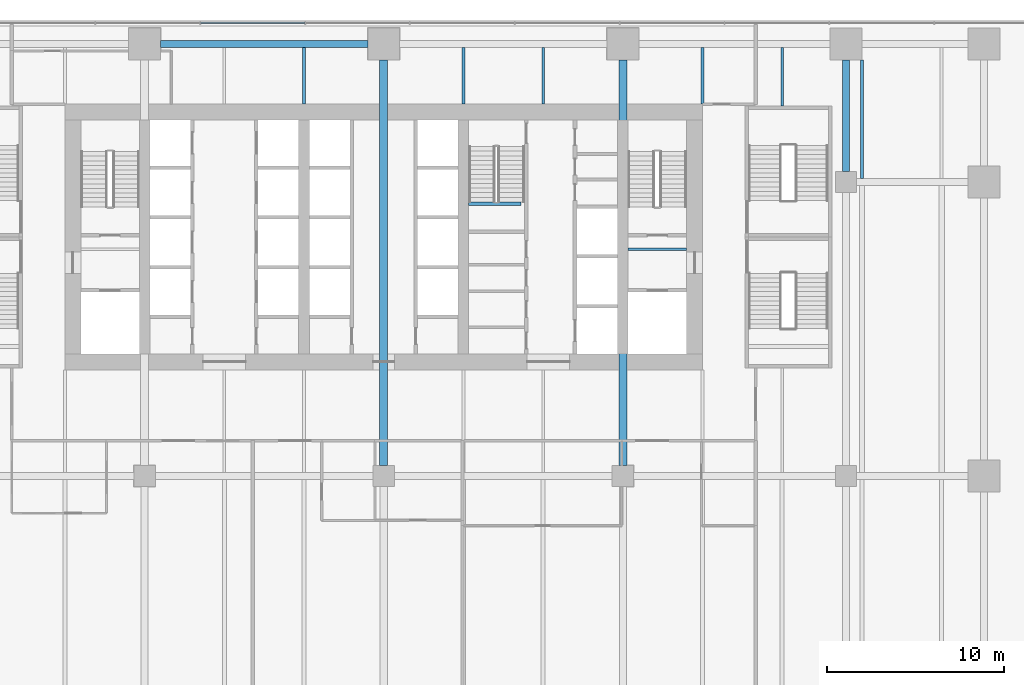
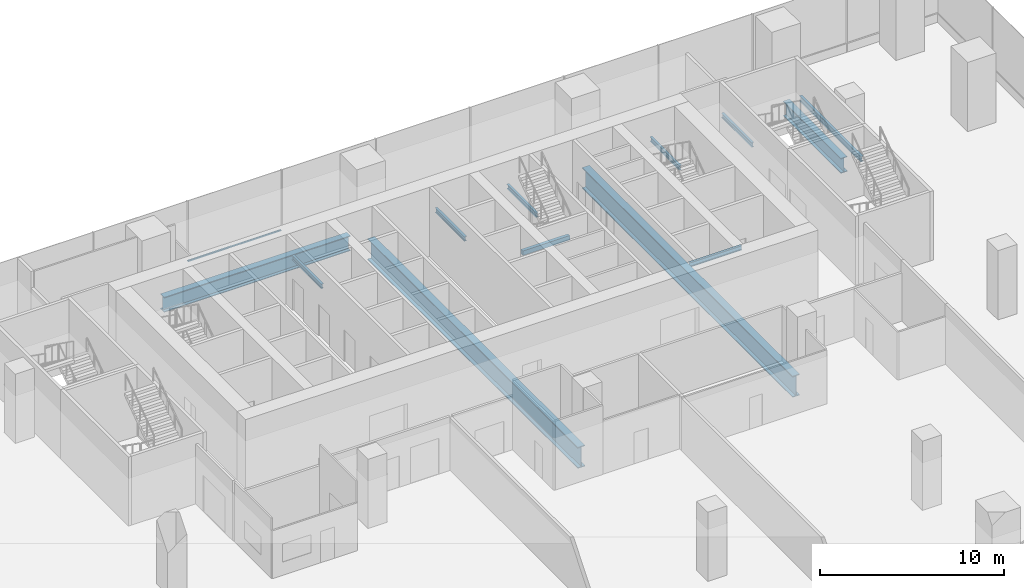
# One storey, part 12 of 28: 12 beams, 1 member, 1 element without a shape of its own.
"""IFC4 building model written with IfcOpenShell, lengths in metres."""

from ifc_helpers import new_model, si_unit, direction, frame, origin, origin_2d, place, context, subcontext, project, spatial, rectangle, i_section, extrude, material, layer, layer_set, material_profile, profile_set, type_object, element, aggregate, save


model = new_model("IFC4")

# Units and contexts
model_context = context("Model", 3, precision=1e-05, world=origin(), true_north=direction((0.0, 1.0)))
body_context = subcontext(model_context, "Body", "Model", "MODEL_VIEW")
ifc_project = project(units=[si_unit("LENGTHUNIT", "METRE"), si_unit("AREAUNIT", "SQUARE_METRE"), si_unit("VOLUMEUNIT", "CUBIC_METRE"), si_unit("PLANEANGLEUNIT", "RADIAN"), si_unit("MASSUNIT", "GRAM", prefix="KILO")], contexts=[model_context])

# Site, building, storey
site_placement = place(None, origin())
site = spatial("IfcSite", under=ifc_project, at=site_placement, CompositionType="ELEMENT")
building_placement = place(site_placement, origin())
building = spatial("IfcBuilding", under=site, at=building_placement, Name="Rattan Terrace Tower", CompositionType="ELEMENT")
storey_placement = place(building_placement, frame((0.0, 0.0, 22.199951171875)))
storey = spatial("IfcBuildingStorey", under=building, at=storey_placement, Name="L04", CompositionType="ELEMENT", Elevation=22.199951171875)

# Beams
ifc_material_1 = material(Name="Concrete C40/50", Category="concrete")
ifc_material_profile_1 = material_profile(ifc_material_1, rectangle(XDim=0.199951171875, YDim=0.300048828125, at=origin_2d()), Name="RC 200x300")
ifc_profile_set_1 = profile_set([ifc_material_profile_1], Name="Concrete C40/50")
beam_type_1 = type_object("IfcBeamType", Name="Core landing beam RC 200x300", PredefinedType="BEAM", material=ifc_profile_set_1)
beam_1_placement = place(storey_placement, frame((4.800048828125, 1.8798828125, 2.050048828125), z_axis=(1.0, 0.0, 0.0), x_axis=(0.0, 1.0, 0.0)))
element("IfcBeam", 1, at=beam_1_placement, inside=storey, type_object=beam_type_1, Name="st-S3-L04 landing 1 edge beam", PredefinedType="BEAM", context=body_context, shape_type="SweptSolid", body=[
    extrude(rectangle(XDim=0.199951171875, YDim=0.300048828125, at=origin_2d()), origin(), (0.0, 0.0, 1.0), 2.949951171875),
])
ifc_material_2 = material(Name="Steel S355", Category="steel")
ifc_material_profile_2 = material_profile(ifc_material_2, i_section(OverallWidth=0.14990234375, OverallDepth=0.300048828125, WebThickness=0.007080078125, FlangeThickness=0.0107421875, FilletRadius=0.014892578125, at=origin_2d()), Name="IPE 300")
ifc_profile_set_2 = profile_set([ifc_material_profile_2], Name="Steel S355")
beam_type_2 = type_object("IfcBeamType", Name="Frame floor beam IPE 300", PredefinedType="JOIST", material=ifc_profile_set_2)
for number, where, z_axis, x_axis, name in (
    (2, (13.800048828125, -0.695068359375, -0.349853515625), (1.0, 0.0, 0.0), (0.0, 1.0, 0.0), "bm-L04-002"),
    (3, (22.5, 7.39990234375, -0.349853515625), (0.0, 1.0, 0.0), (-1.0, 0.0, 0.0), "bm-L04-044"),
):
    element("IfcBeam", number, at=place(storey_placement, frame(where, z_axis=z_axis, x_axis=x_axis)), inside=storey, type_object=beam_type_2, Name=name, PredefinedType="JOIST", context=body_context, shape_type="SweptSolid", body=[
        extrude(i_section(OverallWidth=0.14990234375, OverallDepth=0.300048828125, WebThickness=0.007080078125, FlangeThickness=0.0107421875, FilletRadius=0.014892578125, at=origin_2d()), origin(), (0.0, 0.0, 1.0), 3.300048828125),
    ])
for number, where, z_axis, x_axis, name in (
    (4, (-4.5, 7.5, -0.349853515625), (0.0, 1.0, 0.0), (-1.0, 0.0, 0.0), "bm-L04-047"),
    (5, (4.5, 7.5, -0.349853515625), (0.0, 1.0, 0.0), (-1.0, 0.0, 0.0), "bm-L04-048"),
    (6, (9.0, 7.5, -0.349853515625), (0.0, 1.0, 0.0), (-1.0, 0.0, 0.0), "bm-L04-049"),
    (7, (18.0, 7.5, -0.349853515625), (0.0, 1.0, 0.0), (-1.0, 0.0, 0.0), "bm-L04-050"),
):
    element("IfcBeam", number, at=place(storey_placement, frame(where, z_axis=z_axis, x_axis=x_axis)), inside=storey, type_object=beam_type_2, Name=name, PredefinedType="JOIST", context=body_context, shape_type="SweptSolid", body=[
        extrude(i_section(OverallWidth=0.14990234375, OverallDepth=0.300048828125, WebThickness=0.007080078125, FlangeThickness=0.0107421875, FilletRadius=0.014892578125, at=origin_2d()), origin(), (0.0, 0.0, 1.0), 3.199951171875),
    ])
ifc_material_3 = material(Name="Steel S355", Category="steel")
ifc_material_profile_3 = material_profile(ifc_material_3, i_section(OverallWidth=0.169921875, OverallDepth=0.360107421875, WebThickness=0.008056640625, FlangeThickness=0.0126953125, FilletRadius=0.01806640625, at=origin_2d()), Name="IPE 360")
ifc_profile_set_3 = profile_set([ifc_material_profile_3], Name="Steel S355")
beam_type_3 = type_object("IfcBeamType", Name="Frame floor beam IPE 360", PredefinedType="JOIST", material=ifc_profile_set_3)
beam_2_placement = place(storey_placement, frame((27.0, 3.300048828125, -0.3798828125), z_axis=(0.0, 1.0, 0.0), x_axis=(-1.0, 0.0, 0.0)))
element("IfcBeam", 8, at=beam_2_placement, inside=storey, type_object=beam_type_3, Name="bm-L04-041", PredefinedType="JOIST", context=body_context, shape_type="SweptSolid", body=[
    extrude(i_section(OverallWidth=0.169921875, OverallDepth=0.360107421875, WebThickness=0.008056640625, FlangeThickness=0.0126953125, FilletRadius=0.01806640625, at=origin_2d()), origin(), (0.0, 0.0, 1.0), 6.699951171875),
])
ifc_material_4 = material(Name="Steel S460", Category="steel")
ifc_material_profile_4 = material_profile(ifc_material_4, i_section(OverallWidth=0.39990234375, OverallDepth=1.0, WebThickness=0.01806640625, FlangeThickness=0.044921875, at=origin_2d()), Name="PG 1000x400-18-45")
ifc_profile_set_4 = profile_set([ifc_material_profile_4], Name="Steel S460")
beam_type_4 = type_object("IfcBeamType", Name="Frame podium girder PG 1000x400-18-45", PredefinedType="USERDEFINED", material=ifc_profile_set_4)
beam_3_placement = place(storey_placement, frame((26.10009765625, 3.699951171875, -0.699951171875), z_axis=(0.0, 1.0, 0.0), x_axis=(-1.0, 0.0, 0.0)))
element("IfcBeam", 9, at=beam_3_placement, inside=storey, type_object=beam_type_4, Name="gdr-L04-043", ObjectType="PODIUM GIRDER", PredefinedType="USERDEFINED", context=body_context, shape_type="SweptSolid", body=[
    extrude(i_section(OverallWidth=0.39990234375, OverallDepth=1.0, WebThickness=0.01806640625, FlangeThickness=0.044921875, at=origin_2d()), origin(), (0.0, 0.0, 1.0), 6.300048828125),
])
beam_4_placement = place(storey_placement, frame((-12.60009765625, 10.89990234375, -0.699951171875), z_axis=(1.0, 0.0, 0.0), x_axis=(0.0, 1.0, 0.0)))
element("IfcBeam", 10, at=beam_4_placement, inside=storey, type_object=beam_type_4, Name="gdr-L04-048", ObjectType="PODIUM GIRDER", PredefinedType="USERDEFINED", context=body_context, shape_type="SweptSolid", body=[
    extrude(i_section(OverallWidth=0.39990234375, OverallDepth=1.0, WebThickness=0.01806640625, FlangeThickness=0.044921875, at=origin_2d()), origin(), (0.0, 0.0, 1.0), 11.7001953125),
])
ifc_material_5 = material(Name="Steel S460", Category="steel")
ifc_material_profile_5 = material_profile(ifc_material_5, i_section(OverallWidth=0.449951171875, OverallDepth=1.39990234375, WebThickness=0.02197265625, FlangeThickness=0.054931640625, at=origin_2d()), Name="PG 1400x450-22-55")
ifc_profile_set_5 = profile_set([ifc_material_profile_5], Name="Steel S460")
beam_type_5 = type_object("IfcBeamType", Name="Frame podium girder PG 1400x450-22-55", PredefinedType="USERDEFINED", material=ifc_profile_set_5)
for number, where, z_axis, x_axis, name in (
    (11, (0.0, -12.89990234375, -0.89990234375), (0.0, 1.0, 0.0), (-1.0, 0.0, 0.0), "gdr-L04-035"),
    (12, (13.5, -12.89990234375, -0.89990234375), (0.0, 1.0, 0.0), (-1.0, 0.0, 0.0), "gdr-L04-036"),
):
    element("IfcBeam", number, at=place(storey_placement, frame(where, z_axis=z_axis, x_axis=x_axis)), inside=storey, type_object=beam_type_5, Name=name, ObjectType="PODIUM GIRDER", PredefinedType="USERDEFINED", context=body_context, shape_type="SweptSolid", body=[
        extrude(i_section(OverallWidth=0.449951171875, OverallDepth=1.39990234375, WebThickness=0.02197265625, FlangeThickness=0.054931640625, at=origin_2d()), origin(), (0.0, 0.0, 1.0), 22.89990234375),
    ])

# Curtain wall, member
ifc_material_6 = material(Name="Aluminium and glass", Category="aluminium")
ifc_layer = layer(ifc_material_6, 0.1201171875)
ifc_layer_set = layer_set([ifc_layer], Name="Station Storefront Curtain Wall")
curtain_wall_type = type_object("IfcCurtainWallType", Name="Station Storefront Curtain Wall", PredefinedType="NOTDEFINED", material=ifc_layer_set)
curtain_wall_placement = place(storey_placement, origin())
curtain_wall = element("IfcCurtainWall", 13, at=curtain_wall_placement, inside=storey, type_object=curtain_wall_type, Name="Storefront curtain wall L04-2", PredefinedType="NOTDEFINED")
ifc_material_7 = material(Name="Aluminium", Category="aluminium")
ifc_material_profile_6 = material_profile(ifc_material_7, rectangle(XDim=0.10009765625, YDim=0.050048828125, at=origin_2d()), Name="Aluminium 100x50")
ifc_profile_set_6 = profile_set([ifc_material_profile_6], Name="Aluminium")
member_type = type_object("IfcMemberType", Name="Storefront CW Transom 100x50", PredefinedType="USERDEFINED", material=ifc_profile_set_6)
member_placement = place(storey_placement, frame((-4.465087890625, 12.080078125, 0.60009765625), z_axis=(-1.0, 0.0, 0.0), x_axis=(0.0, -1.0, 0.0)))
member = element("IfcMember", 14, at=member_placement, type_object=member_type, Name="Transom cwl-L04-002.8", ObjectType="TRANSOM", PredefinedType="USERDEFINED", context=body_context, shape_type="SweptSolid", body=[
    extrude(rectangle(XDim=0.10009765625, YDim=0.050048828125, at=origin_2d()), origin(), (0.0, 0.0, 1.0), 5.869873046875),
])
aggregate(curtain_wall, [member])

save(model, "model.ifc")
